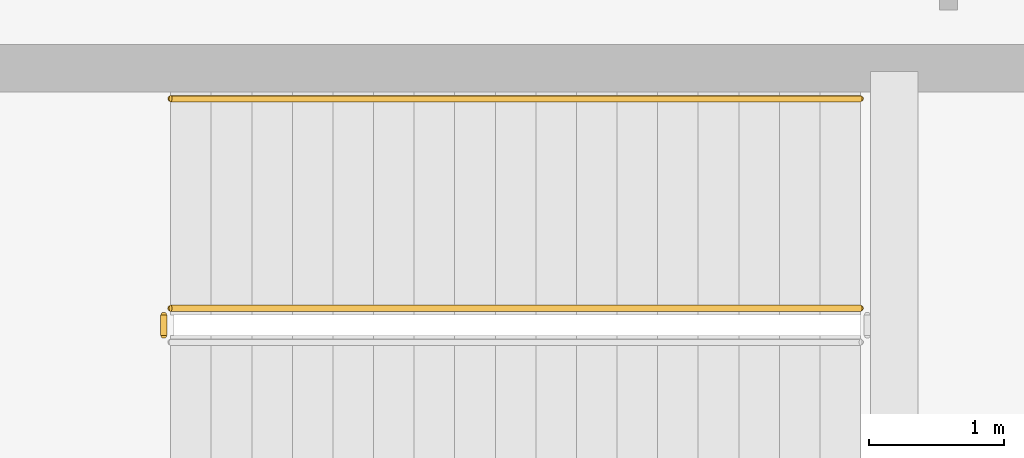
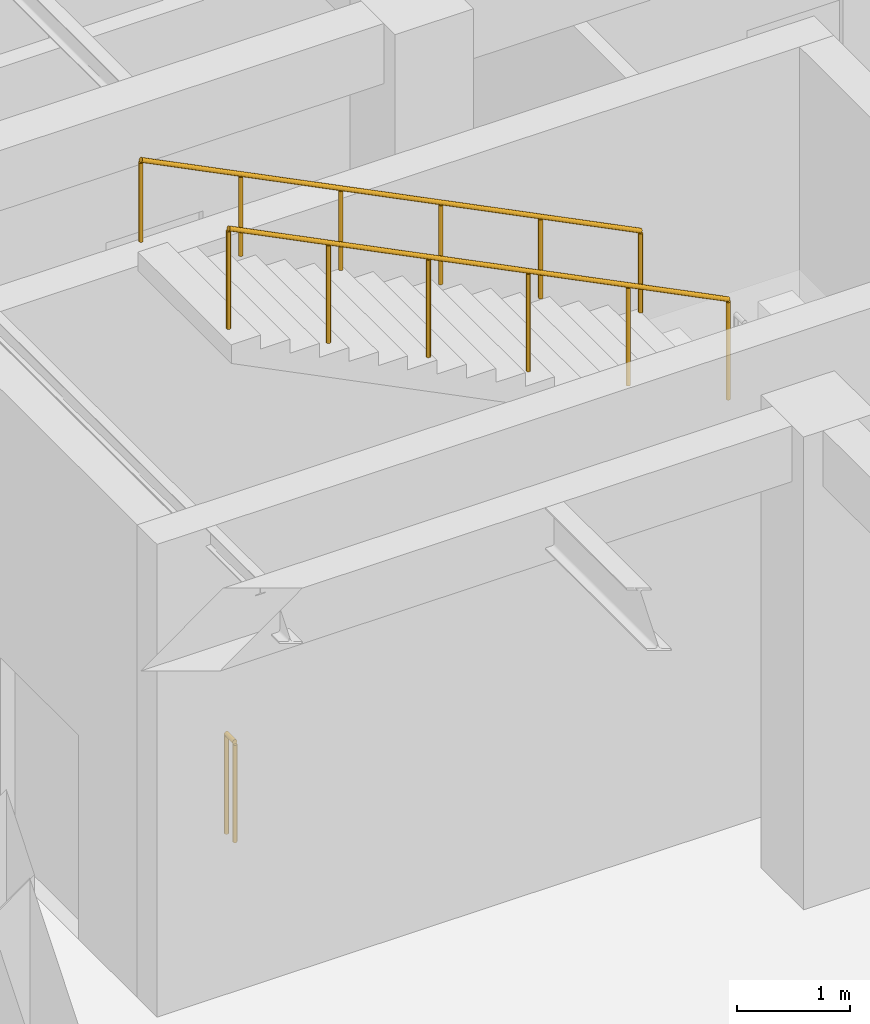
# One storey, part 145 of 169: 3 railings.
"""IFC4 building model written with IfcOpenShell, lengths in metres."""

from ifc_helpers import new_model, si_unit, direction, frame, origin, origin_2d, place, context, subcontext, project, spatial, circle, extrude, material, type_object, element, save


model = new_model("IFC4")

# Units and contexts
model_context = context("Model", 3, precision=1e-05, world=origin(), true_north=direction((0.0, 1.0)))
body_context = subcontext(model_context, "Body", "Model", "MODEL_VIEW")
ifc_project = project(units=[si_unit("LENGTHUNIT", "METRE"), si_unit("AREAUNIT", "SQUARE_METRE"), si_unit("VOLUMEUNIT", "CUBIC_METRE"), si_unit("PLANEANGLEUNIT", "RADIAN"), si_unit("MASSUNIT", "GRAM", prefix="KILO")], contexts=[model_context])

# Site, building, storey
site_placement = place(None, origin())
site = spatial("IfcSite", under=ifc_project, at=site_placement, CompositionType="ELEMENT")
building_placement = place(site_placement, origin())
building = spatial("IfcBuilding", under=site, at=building_placement, Name="Mazaris Harbour Polytechnic", CompositionType="ELEMENT")
storey_placement = place(building_placement, origin())
storey = spatial("IfcBuildingStorey", under=building, at=storey_placement, Name="L00", CompositionType="ELEMENT", Elevation=0.0)

# Railings
ifc_material_1 = material(Name="Stainless Steel S355", Category="steel")
railing_type_1 = type_object("IfcRailingType", Name="Stair Wall Handrail 900", PredefinedType="HANDRAIL", material=ifc_material_1)
railing_1_placement = place(storey_placement, frame((63.35009765625, 26.39990234375, 2.85009765625)))
element("IfcRailing", 1, at=railing_1_placement, inside=storey, type_object=railing_type_1, Name="L00 ST05 stair handrail 2", PredefinedType="HANDRAIL", context=body_context, shape_type="SweptSolid", body=[
    extrude(circle(Radius=0.02392578125, at=origin_2d()), frame((0.0, 0.0, 0.8759765625), z_axis=(-0.89444431709, 0.0, 0.44717934168), x_axis=(0.0, -1.0, 0.0)), (0.0, 0.0, 1.0), 5.701904296875),
    extrude(circle(Radius=0.02099609375, at=origin_2d()), origin(), (0.0, 0.0, 1.0), 0.851806640625),
    extrude(circle(Radius=0.02099609375, at=origin_2d()), frame((-1.02001953125, 0.0, 0.510009765625)), (0.0, 0.0, 1.0), 0.851806640625),
    extrude(circle(Radius=0.02099609375, at=origin_2d()), frame((-2.0400390625, 0.0, 1.02001953125)), (0.0, 0.0, 1.0), 0.851806640625),
    extrude(circle(Radius=0.02099609375, at=origin_2d()), frame((-3.06005859375, 0.0, 1.52978515625)), (0.0, 0.0, 1.0), 0.851806640625),
    extrude(circle(Radius=0.02099609375, at=origin_2d()), frame((-4.080078125, 0.0, 2.039794921875)), (0.0, 0.0, 1.0), 0.851806640625),
    extrude(circle(Radius=0.02099609375, at=origin_2d()), frame((-5.10009765625, 0.0, 2.5498046875)), (0.0, 0.0, 1.0), 0.851806640625),
])
ifc_material_2 = material(Name="Steel S355", Category="steel")
railing_type_2 = type_object("IfcRailingType", Name="Stair Well Guardrail 1100", PredefinedType="GUARDRAIL", material=ifc_material_2)
railing_2_placement = place(storey_placement, frame((63.35009765625, 24.85009765625, 2.85009765625)))
element("IfcRailing", 2, at=railing_2_placement, inside=storey, type_object=railing_type_2, Name="L00 ST05 stair guard 3", PredefinedType="GUARDRAIL", context=body_context, shape_type="SweptSolid", body=[
    extrude(circle(Radius=0.02392578125, at=origin_2d()), frame((0.0, 0.0, 1.076171875), z_axis=(-0.89444431709, 0.0, 0.44717934168), x_axis=(0.0, -1.0, 0.0)), (0.0, 0.0, 1.0), 5.701904296875),
    extrude(circle(Radius=0.02099609375, at=origin_2d()), origin(), (0.0, 0.0, 1.0), 1.052001953125),
    extrude(circle(Radius=0.02099609375, at=origin_2d()), frame((-1.02001953125, 0.0, 0.510009765625)), (0.0, 0.0, 1.0), 1.052001953125),
    extrude(circle(Radius=0.02099609375, at=origin_2d()), frame((-2.0400390625, 0.0, 1.02001953125)), (0.0, 0.0, 1.0), 1.052001953125),
    extrude(circle(Radius=0.02099609375, at=origin_2d()), frame((-3.06005859375, 0.0, 1.52978515625)), (0.0, 0.0, 1.0), 1.052001953125),
    extrude(circle(Radius=0.02099609375, at=origin_2d()), frame((-4.080078125, 0.0, 2.039794921875)), (0.0, 0.0, 1.0), 1.052001953125),
    extrude(circle(Radius=0.02099609375, at=origin_2d()), frame((-5.10009765625, 0.0, 2.5498046875)), (0.0, 0.0, 1.0), 1.052001953125),
])
railing_3_placement = place(storey_placement, frame((58.199951171875, 24.64990234375, 0.0)))
element("IfcRailing", 3, at=railing_3_placement, inside=storey, type_object=railing_type_2, Name="L00 ST05 stair guard 4", PredefinedType="GUARDRAIL", context=body_context, shape_type="SweptSolid", body=[
    extrude(circle(Radius=0.02392578125, at=origin_2d()), frame((0.0, 0.0, 1.076171875), z_axis=(0.0, 1.0, 0.0), x_axis=(-1.0, 0.0, 0.0)), (0.0, 0.0, 1.0), 0.150146484375),
    extrude(circle(Radius=0.02099609375, at=origin_2d()), origin(), (0.0, 0.0, 1.0), 1.052001953125),
    extrude(circle(Radius=0.02099609375, at=origin_2d()), frame((0.0, 0.150146484375, 0.0)), (0.0, 0.0, 1.0), 1.052001953125),
])

save(model, "model.ifc")
